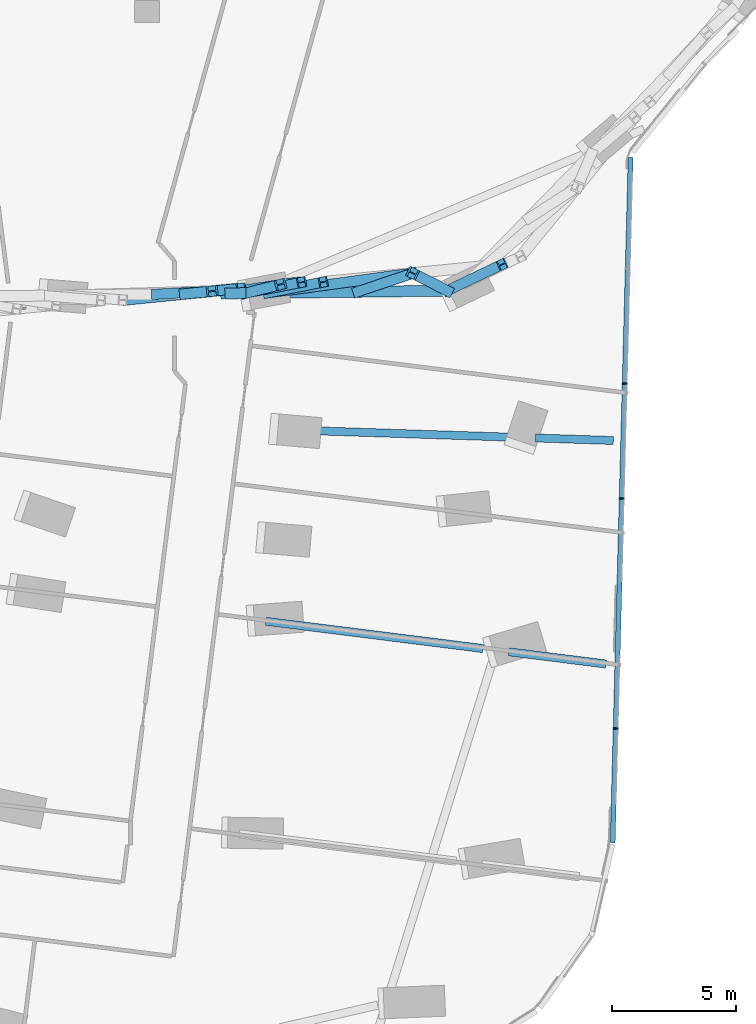
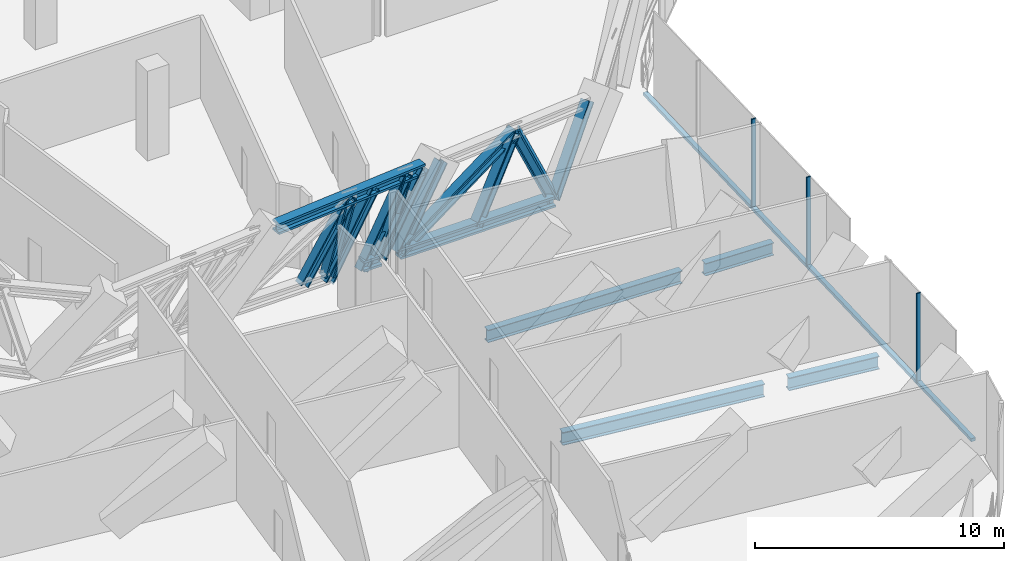
# One storey, part 4 of 27: 18 members, 4 beams, 1 element without a shape of its own.
"""IFC4 building model written with IfcOpenShell, lengths in metres."""

import ifcopenshell
import ifcopenshell.guid

model = None  # the IFC model being written
_history = None  # IfcOwnerHistory: only IFC2X3 demands one
_inside = {}  # id of a spatial element -> (the spatial element, [elements in it])
_under = {}  # id of a project, library or spatial element -> (it, [spatial elements below it])
_declared = {}  # id of a project -> (the project, [libraries it declares])
_typed = {}  # id of a type object -> (the type object, [elements of that type])
_made_of = {}  # id of a material, layer set ... -> (it, [elements and type objects made of it])


def new_model(schema):
    """Start an empty IFC model of exactly this schema.

    Asked for "IFC4X3", IfcOpenShell would pick the latest addendum, in which some entities
    have other attributes; the version numbers below select the first issue.
    IFC2X3 requires an IfcOwnerHistory on every rooted entity: one is made here for all.
    """
    global model, _history
    if schema == "IFC4X3":
        model = ifcopenshell.file(schema_version=(4, 3, 0, 0))
    else:
        model = ifcopenshell.file(schema=schema)
    _inside.clear()
    _under.clear()
    _declared.clear()
    _typed.clear()
    _made_of.clear()
    _history = None
    if model.schema == "IFC2X3":
        org = make("IfcOrganization", Name="unknown")
        user = make(
            "IfcPersonAndOrganization",
            ThePerson=make("IfcPerson", FamilyName="unknown"),
            TheOrganization=org,
        )
        app = make(
            "IfcApplication",
            ApplicationDeveloper=org,
            Version="unknown",
            ApplicationFullName="unknown",
            ApplicationIdentifier="unknown",
        )
        _history = make(
            "IfcOwnerHistory",
            OwningUser=user,
            OwningApplication=app,
            ChangeAction="ADDED",
            CreationDate=0,
        )
    return model


def make(cls, **values):
    """One entity of the class cls with the attributes given. An attribute that is None is left unset."""
    return model.create_entity(
        cls, **{name: value for name, value in values.items() if value is not None}
    )


def rooted(cls, **values):
    """An entity with a GlobalId (a new one), such as an element, a storey or a relation."""
    return make(cls, GlobalId=ifcopenshell.guid.new(), OwnerHistory=_history, **values)


def si_unit(unit_type, name, prefix=None):
    """IfcSIUnit, for example si_unit("LENGTHUNIT", "METRE", prefix="MILLI")."""
    return make("IfcSIUnit", UnitType=unit_type, Prefix=prefix, Name=name)


def assignment(units):
    """IfcUnitAssignment: the units of a project."""
    return None if units is None else make("IfcUnitAssignment", Units=units)


def point(xyz):
    """IfcCartesianPoint."""
    return None if xyz is None else make("IfcCartesianPoint", Coordinates=xyz)


def direction(xyz):
    """IfcDirection."""
    return None if xyz is None else make("IfcDirection", DirectionRatios=xyz)


def frame(location, z_axis=None, x_axis=None):
    """IfcAxis2Placement3D, a coordinate frame: its origin and axes. An axis left out is left unset."""
    return make(
        "IfcAxis2Placement3D",
        Location=point(location),
        Axis=direction(z_axis),
        RefDirection=direction(x_axis),
    )


def frame_2d(location, x_axis=None):
    """IfcAxis2Placement2D, a coordinate frame in the plane: its origin and x axis."""
    return make(
        "IfcAxis2Placement2D", Location=point(location), RefDirection=direction(x_axis)
    )


def origin():
    """The frame at (0, 0, 0) with its axes left unset."""
    return frame((0.0, 0.0, 0.0))


def origin_2d():
    """The frame at (0, 0) in the plane with its x axis left unset."""
    return frame_2d((0.0, 0.0))


def place(relative_to, where):
    """IfcLocalPlacement: puts the frame where relative to a parent placement (None: the world)."""
    return make(
        "IfcLocalPlacement", PlacementRelTo=relative_to, RelativePlacement=where
    )


def context(
    kind, dimensions, precision=None, world=None, true_north=None, identifier=None
):
    """IfcGeometricRepresentationContext, for example the 3D "Model" context."""
    return make(
        "IfcGeometricRepresentationContext",
        ContextIdentifier=identifier,
        ContextType=kind,
        CoordinateSpaceDimension=dimensions,
        Precision=precision,
        WorldCoordinateSystem=world,
        TrueNorth=true_north,
    )


def subcontext(parent, identifier, kind, view, scale=None):
    """IfcGeometricRepresentationSubContext, for example "Body" below "Model"."""
    return make(
        "IfcGeometricRepresentationSubContext",
        ContextIdentifier=identifier,
        ContextType=kind,
        ParentContext=parent,
        TargetScale=scale,
        TargetView=view,
    )


def project(units=None, contexts=None):
    """IfcProject with its units and contexts."""
    return rooted(
        "IfcProject",
        Name="project",
        RepresentationContexts=contexts,
        UnitsInContext=assignment(units),
    )


def spatial(cls, under=None, at=None, **own):
    """A site, building, storey or space (cls), placed at a placement, below another one or the project."""
    s = rooted(cls, ObjectPlacement=at, **own)
    if under is not None:
        _under.setdefault(under.id(), (under, []))[1].append(s)
    return s


def profile(cls, at=None, kind="AREA", **sizes):
    """A parametric profile (cls). Its sizes go by their IFC names, for example OverallWidth=200.0."""
    return make(cls, ProfileType=kind, Position=at, **sizes)


def rectangle(**sizes):
    """IfcRectangleProfileDef."""
    return profile("IfcRectangleProfileDef", **sizes)


def i_section(**sizes):
    """IfcIShapeProfileDef."""
    return profile("IfcIShapeProfileDef", **sizes)


def extrude(swept, where, along, depth):
    """IfcExtrudedAreaSolid: the profile swept, set in the frame where, extruded along a direction by depth."""
    return make(
        "IfcExtrudedAreaSolid",
        SweptArea=swept,
        Position=where,
        ExtrudedDirection=direction(along),
        Depth=depth,
    )


def shape(context_of_items, identifier, shape_type, items):
    """IfcShapeRepresentation: the items that make up one representation, for example the "Body"."""
    return make(
        "IfcShapeRepresentation",
        ContextOfItems=context_of_items,
        RepresentationIdentifier=identifier,
        RepresentationType=shape_type,
        Items=items,
    )


def material(Name=None, Category=None):
    """IfcMaterial."""
    return make("IfcMaterial", Name=Name, Category=Category)


def material_profile(
    of_material, cross_section, Name=None, Category=None, Priority=None
):
    """IfcMaterialProfile: a cross section and its material."""
    return make(
        "IfcMaterialProfile",
        Name=Name,
        Material=of_material,
        Profile=cross_section,
        Priority=Priority,
        Category=Category,
    )


def profile_set(profiles, Name=None, composite=None):
    """IfcMaterialProfileSet."""
    return make(
        "IfcMaterialProfileSet",
        Name=Name,
        MaterialProfiles=profiles,
        CompositeProfile=composite,
    )


def made_of(thing, what):
    """Note that an element or type object is made of a material, layer set ...; save() writes the relation."""
    if what is not None:
        _made_of.setdefault(what.id(), (what, []))[1].append(thing)
    return thing


def type_object(cls, material=None, **own):
    """A type object (cls), such as IfcWallType, which elements share."""
    return made_of(rooted(cls, **own), material)


def element(
    cls,
    number,
    at=None,
    inside=None,
    cuts=None,
    type_object=None,
    material=None,
    context=None,
    identifier="Body",
    shape_type=None,
    held_by="IfcProductDefinitionShape",
    body=None,
    shapes=None,
    **own,
):
    """One element of the class cls, such as IfcWall. Its Tag is "e" and its number.

    at: its placement. inside: the storey or other place that contains it. cuts: it is an
    opening in that element (IfcRelVoidsElement). A single representation is given by context,
    identifier, shape_type and body (its items); several are given by shapes. held_by: the class
    of the entity that holds the representations. save() writes the other relations.
    """
    e = rooted(cls, Tag="e%d" % number, ObjectPlacement=at, **own)
    if body is not None:
        shapes = [shape(context, identifier, shape_type, body)]
    if shapes is not None:
        e.Representation = make(held_by, Representations=shapes)
    if inside is not None:
        _inside.setdefault(inside.id(), (inside, []))[1].append(e)
    if cuts is not None:
        rooted(
            "IfcRelVoidsElement", RelatingBuildingElement=cuts, RelatedOpeningElement=e
        )
    if type_object is not None:
        _typed.setdefault(type_object.id(), (type_object, []))[1].append(e)
    return made_of(e, material)


def aggregate(whole, parts):
    """IfcRelAggregates: a whole, such as a stair, and the parts it consists of."""
    return rooted("IfcRelAggregates", RelatingObject=whole, RelatedObjects=parts)


def save(model, path):
    """Write the relations noted so far, then the file.

    IfcRelAggregates (storeys below a building ...), IfcRelContainedInSpatialStructure (elements
    in a storey), IfcRelDefinesByType, IfcRelAssociatesMaterial and IfcRelDeclares: one each for
    every whole, place, type object, material and project.
    """
    for whole, parts in _under.values():
        aggregate(whole, parts)
    for where, things in _inside.values():
        rooted(
            "IfcRelContainedInSpatialStructure",
            RelatedElements=things,
            RelatingStructure=where,
        )
    for kind, things in _typed.values():
        rooted("IfcRelDefinesByType", RelatedObjects=things, RelatingType=kind)
    for what, things in _made_of.values():
        rooted("IfcRelAssociatesMaterial", RelatedObjects=things, RelatingMaterial=what)
    for by, libraries in _declared.values():
        rooted("IfcRelDeclares", RelatingContext=by, RelatedDefinitions=libraries)
    model.write(path)


model = new_model("IFC4")

# Units and contexts
model_context = context("Model", 3, precision=1e-05, world=origin(), true_north=direction((0.0, 1.0)))
body_context = subcontext(model_context, "Body", "Model", "MODEL_VIEW")
ifc_project = project(units=[si_unit("LENGTHUNIT", "METRE"), si_unit("AREAUNIT", "SQUARE_METRE"), si_unit("VOLUMEUNIT", "CUBIC_METRE"), si_unit("PLANEANGLEUNIT", "RADIAN"), si_unit("MASSUNIT", "GRAM", prefix="KILO")], contexts=[model_context])

# Site, building, storey
site_placement = place(None, origin())
site = spatial("IfcSite", under=ifc_project, at=site_placement, CompositionType="ELEMENT")
building_placement = place(site_placement, origin())
building = spatial("IfcBuilding", under=site, at=building_placement, Name="Orlundy Tower", CompositionType="ELEMENT")
storey_placement = place(building_placement, frame((0.0, 0.0, 206.10009765625)))
storey = spatial("IfcBuildingStorey", under=building, at=storey_placement, Name="L54", CompositionType="ELEMENT", Elevation=206.10009765625)

# Members
ifc_material_1 = material(Name="Steel ASTM A992 Gr 50", Category="steel")
ifc_material_profile_1 = material_profile(ifc_material_1, i_section(OverallWidth=0.4423828125, OverallDepth=0.531494140625, WebThickness=0.06591796875, FlangeThickness=0.105712890625, at=origin_2d()), Name="W14X605")
ifc_profile_set_1 = profile_set([ifc_material_profile_1], Name="Steel ASTM A992 Gr 50")
member_type_1 = type_object("IfcMemberType", Name="BELT TRUSS chord W14X605", PredefinedType="CHORD", material=ifc_profile_set_1)
member_1_placement = place(storey_placement, frame((3.130126953125, -29.35546875, 0.28466796875), z_axis=(0.999923537636, 0.012366037423, 0.0), x_axis=(-0.012366037423, 0.999923537636, 0.0)))
element("IfcMember", 1, at=member_1_placement, inside=storey, type_object=member_type_1, Name="Belt truss bottom chord BT-062", PredefinedType="CHORD", context=body_context, shape_type="SweptSolid", body=[
    extrude(i_section(OverallWidth=0.4423828125, OverallDepth=0.531494140625, WebThickness=0.06591796875, FlangeThickness=0.105712890625, at=origin_2d()), origin(), (0.0, 0.0, 1.0), 0.848876953125),
])
member_2_placement = place(storey_placement, frame((-0.981689453125, -29.620361328125, 3.715087890625), z_axis=(0.995145419269, 0.098415418039, 0.0), x_axis=(-0.098415418039, 0.995145419269, 0.0)))
element("IfcMember", 2, at=member_2_placement, inside=storey, type_object=member_type_1, Name="Belt truss top chord BT-06", PredefinedType="CHORD", context=body_context, shape_type="SweptSolid", body=[
    extrude(i_section(OverallWidth=0.4423828125, OverallDepth=0.531494140625, WebThickness=0.06591796875, FlangeThickness=0.105712890625, at=origin_2d()), origin(), (0.0, 0.0, 1.0), 7.2412109375),
])
member_3_placement = place(storey_placement, frame((4.853759765625, -29.33447265625, 0.28466796875), z_axis=(0.999925527431, 0.012204080948, 0.0), x_axis=(-0.012204080948, 0.999925527431, 0.0)))
element("IfcMember", 3, at=member_3_placement, inside=storey, type_object=member_type_1, Name="Belt truss bottom chord BT-07", PredefinedType="CHORD", context=body_context, shape_type="SweptSolid", body=[
    extrude(i_section(OverallWidth=0.4423828125, OverallDepth=0.531494140625, WebThickness=0.06591796875, FlangeThickness=0.105712890625, at=origin_2d()), origin(), (0.0, 0.0, 1.0), 7.24169921875),
])
ifc_material_2 = material(Name="Steel ASTM A992 Gr 50", Category="steel")
ifc_material_profile_2 = material_profile(ifc_material_2, i_section(OverallWidth=0.42431640625, OverallDepth=0.47412109375, WebThickness=0.0478515625, FlangeThickness=0.0771484375, at=origin_2d()), Name="W14X426")
ifc_profile_set_2 = profile_set([ifc_material_profile_2], Name="Steel ASTM A992 Gr 50")
member_type_2 = type_object("IfcMemberType", Name="BELT TRUSS diagonal W14X426", PredefinedType="BRACE", material=ifc_profile_set_2)
member_4_placement = place(storey_placement, frame((2.621337890625, -29.263916015625, 3.715087890625), z_axis=(-0.302950901639, -0.03077639502, -0.952509089041), x_axis=(0.101068533783, -0.994879465804, 0.0)))
element("IfcMember", 4, at=member_4_placement, inside=storey, type_object=member_type_2, Name="Belt truss diagonal BT-06-1", PredefinedType="BRACE", context=body_context, shape_type="SweptSolid", body=[
    extrude(i_section(OverallWidth=0.42431640625, OverallDepth=0.47412109375, WebThickness=0.0478515625, FlangeThickness=0.0771484375, at=origin_2d()), origin(), (0.0, 0.0, 1.0), 3.6015625),
])
member_5_placement = place(storey_placement, frame((5.379638671875, -28.9912109375, 3.715087890625), z_axis=(-0.376293110807, -0.095040738637, -0.921613125318), x_axis=(0.244881033797, -0.969553133813, 0.0)))
element("IfcMember", 5, at=member_5_placement, inside=storey, type_object=member_type_2, Name="Belt truss diagonal BT-06-3", PredefinedType="BRACE", context=body_context, shape_type="SweptSolid", body=[
    extrude(i_section(OverallWidth=0.42431640625, OverallDepth=0.47412109375, WebThickness=0.0478515625, FlangeThickness=0.0771484375, at=origin_2d()), origin(), (0.0, 0.0, 1.0), 3.72216796875),
])
member_6_placement = place(storey_placement, frame((4.853759765625, -29.33447265625, 0.28466796875), z_axis=(0.856718195444, 0.116334291609, 0.502494045925), x_axis=(-0.134555739832, 0.99090602626, 0.0)))
element("IfcMember", 6, at=member_6_placement, inside=storey, type_object=member_type_2, Name="Belt truss diagonal BT-07-0", PredefinedType="BRACE", context=body_context, shape_type="SweptSolid", body=[
    extrude(i_section(OverallWidth=0.42431640625, OverallDepth=0.47412109375, WebThickness=0.0478515625, FlangeThickness=0.0771484375, at=origin_2d()), origin(), (0.0, 0.0, 1.0), 6.826904296875),
])
member_7_placement = place(storey_placement, frame((10.702392578125, -28.540283203125, 3.715087890625), z_axis=(0.369483915976, -0.187268233009, -0.910171546875), x_axis=(0.452085904325, 0.891974402722, 0.0)))
element("IfcMember", 7, at=member_7_placement, inside=storey, type_object=member_type_2, Name="Belt truss diagonal BT-07-1", PredefinedType="BRACE", context=body_context, shape_type="SweptSolid", body=[
    extrude(i_section(OverallWidth=0.42431640625, OverallDepth=0.47412109375, WebThickness=0.0478515625, FlangeThickness=0.0771484375, at=origin_2d()), origin(), (0.0, 0.0, 1.0), 3.76904296875),
])
ifc_material_3 = material(Name="Steel ASTM A992 Gr 50", Category="steel")
ifc_material_profile_3 = material_profile(ifc_material_3, i_section(OverallWidth=0.412109375, OverallDepth=0.434814453125, WebThickness=0.035888671875, FlangeThickness=0.057373046875, at=origin_2d()), Name="W14X311")
ifc_profile_set_3 = profile_set([ifc_material_profile_3], Name="Steel ASTM A992 Gr 50")
member_type_3 = type_object("IfcMemberType", Name="BELT TRUSS post W14X311", PredefinedType="POST", material=ifc_profile_set_3)
member_8_placement = place(storey_placement, frame((0.35888671875, -29.38916015625, 0.28466796875), z_axis=(0.550311021038, 0.030463963936, 0.834403815323), x_axis=(-0.05527309416, 0.998471274029, 0.0)))
element("IfcMember", 8, at=member_8_placement, inside=storey, type_object=member_type_3, Name="Belt truss post BT-06-1", PredefinedType="POST", context=body_context, shape_type="SweptSolid", body=[
    extrude(i_section(OverallWidth=0.412109375, OverallDepth=0.434814453125, WebThickness=0.035888671875, FlangeThickness=0.057373046875, at=origin_2d()), origin(), (0.0, 0.0, 1.0), 4.111328125),
])
member_9_placement = place(storey_placement, frame((1.5302734375, -29.374755859375, 0.018798828125), z_axis=(0.520444973223, 0.052128939449, 0.852302530513), x_axis=(-0.099663561355, 0.995021193009, 0.0)))
element("IfcMember", 9, at=member_9_placement, inside=storey, type_object=member_type_3, Name="Belt truss post BT-06-2", PredefinedType="POST", context=body_context, shape_type="SweptSolid", body=[
    extrude(i_section(OverallWidth=0.412109375, OverallDepth=0.434814453125, WebThickness=0.035888671875, FlangeThickness=0.057373046875, at=origin_2d()), origin(), (0.0, 0.0, 1.0), 4.3369140625),
])
member_10_placement = place(storey_placement, frame((3.130126953125, -29.35546875, 0.018798828125), z_axis=(0.51804654035, 0.083885982006, 0.851229066735), x_axis=(-0.159845446431, 0.98714205323, 0.0)))
element("IfcMember", 10, at=member_10_placement, inside=storey, type_object=member_type_3, Name="Belt truss post BT-06-3", PredefinedType="POST", context=body_context, shape_type="SweptSolid", body=[
    extrude(i_section(OverallWidth=0.412109375, OverallDepth=0.434814453125, WebThickness=0.035888671875, FlangeThickness=0.057373046875, at=origin_2d()), origin(), (0.0, 0.0, 1.0), 4.34228515625),
])
for number, where, z_axis, x_axis, name in (
    (11, (3.97900390625, -29.344970703125, 0.28466796875), (0.544570166493, 0.106048186168, 0.831983843579), (-0.191146743038, 0.981561471649, 0.0), "Belt truss post BT-06-4"),
    (12, (4.853759765625, -29.33447265625, 0.28466796875), (0.544608396086, 0.106103310044, 0.831951790977), (-0.191229534571, 0.981545345416, 0.0), "Belt truss post BT-07-0"),
):
    element("IfcMember", number, at=place(storey_placement, frame(where, z_axis=z_axis, x_axis=x_axis)), inside=storey, type_object=member_type_3, Name=name, PredefinedType="POST", context=body_context, shape_type="SweptSolid", body=[
        extrude(i_section(OverallWidth=0.412109375, OverallDepth=0.434814453125, WebThickness=0.035888671875, FlangeThickness=0.057373046875, at=origin_2d()), origin(), (0.0, 0.0, 1.0), 4.123291015625),
    ])
member_11_placement = place(storey_placement, frame((8.474365234375, -29.290283203125, 0.28466796875), z_axis=(0.535757098473, 0.180346899683, 0.824887463362), x_axis=(-0.319030362546, 0.947744494985, 0.0)))
element("IfcMember", 13, at=member_11_placement, inside=storey, type_object=member_type_3, Name="Belt truss post BT-07-1", PredefinedType="POST", context=body_context, shape_type="SweptSolid", body=[
    extrude(i_section(OverallWidth=0.412109375, OverallDepth=0.434814453125, WebThickness=0.035888671875, FlangeThickness=0.057373046875, at=origin_2d()), origin(), (0.0, 0.0, 1.0), 4.15869140625),
])
member_12_placement = place(storey_placement, frame((12.094970703125, -29.24609375, 0.28466796875), z_axis=(0.52417278187, 0.252012825213, 0.813469379064), x_axis=(-0.433303764049, 0.901247939283, 0.0)))
element("IfcMember", 14, at=member_12_placement, inside=storey, type_object=member_type_3, Name="Belt truss post BT-07-2", PredefinedType="POST", context=body_context, shape_type="SweptSolid", body=[
    extrude(i_section(OverallWidth=0.412109375, OverallDepth=0.434814453125, WebThickness=0.035888671875, FlangeThickness=0.057373046875, at=origin_2d()), origin(), (0.0, 0.0, 1.0), 4.217041015625),
])

# Beams
ifc_material_4 = material(Name="Steel ASTM A992 Gr 50", Category="steel")
ifc_material_profile_4 = material_profile(ifc_material_4, i_section(OverallWidth=0.32373046875, OverallDepth=0.611083984375, WebThickness=0.0126953125, FlangeThickness=0.01904296875, at=origin_2d()), Name="W24X104")
ifc_profile_set_4 = profile_set([ifc_material_profile_4], Name="Steel ASTM A992 Gr 50")
beam_type_1 = type_object("IfcBeamType", Name="CANTILEVER GIRDER beam W24X104", PredefinedType="BEAM", material=ifc_profile_set_4)
beam_1_placement = place(storey_placement, frame((18.78271484375, -35.281005859375, -0.755615234375), z_axis=(-0.999469532246, 0.032567685101, 0.0), x_axis=(-0.032567685101, -0.999469532246, 0.0)))
element("IfcBeam", 15, at=beam_1_placement, inside=storey, type_object=beam_type_1, Name="Cantilever girder C-B5-1 L54", PredefinedType="BEAM", context=body_context, shape_type="SweptSolid", body=[
    extrude(i_section(OverallWidth=0.32373046875, OverallDepth=0.611083984375, WebThickness=0.0126953125, FlangeThickness=0.01904296875, at=origin_2d()), origin(), (0.0, 0.0, 1.0), 3.133544921875),
])
beam_2_placement = place(storey_placement, frame((14.611083984375, -35.14501953125, -0.755615234375), z_axis=(-0.999470446458, 0.032539616741, 0.0), x_axis=(-0.032539616741, -0.999470446458, 0.0)))
element("IfcBeam", 16, at=beam_2_placement, inside=storey, type_object=beam_type_1, Name="Back-span girder C-B5-1 L54", PredefinedType="BEAM", context=body_context, shape_type="SweptSolid", body=[
    extrude(i_section(OverallWidth=0.32373046875, OverallDepth=0.611083984375, WebThickness=0.0126953125, FlangeThickness=0.01904296875, at=origin_2d()), origin(), (0.0, 0.0, 1.0), 8.86083984375),
])
ifc_material_5 = material(Name="Steel ASTM A992 Gr 50", Category="steel")
ifc_material_profile_5 = material_profile(ifc_material_5, i_section(OverallWidth=0.3291015625, OverallDepth=0.635009765625, WebThickness=0.017822265625, FlangeThickness=0.031005859375, at=origin_2d()), Name="W24X162")
ifc_profile_set_5 = profile_set([ifc_material_profile_5], Name="Steel ASTM A992 Gr 50")
beam_type_2 = type_object("IfcBeamType", Name="CANTILEVER GIRDER beam W24X162", PredefinedType="BEAM", material=ifc_profile_set_5)
beam_3_placement = place(storey_placement, frame((18.493408203125, -44.2861328125, -0.767578125), z_axis=(-0.99219110516, 0.124726945133, 0.0), x_axis=(-0.124726945133, -0.99219110516, 0.0)))
element("IfcBeam", 17, at=beam_3_placement, inside=storey, type_object=beam_type_2, Name="Cantilever girder C-B5-2 L54", PredefinedType="BEAM", context=body_context, shape_type="SweptSolid", body=[
    extrude(i_section(OverallWidth=0.3291015625, OverallDepth=0.635009765625, WebThickness=0.017822265625, FlangeThickness=0.031005859375, at=origin_2d()), origin(), (0.0, 0.0, 1.0), 3.949951171875),
])
beam_4_placement = place(storey_placement, frame((13.53369140625, -43.66259765625, -0.767578125), z_axis=(-0.992189857422, 0.124736870369, 0.0), x_axis=(-0.124736870369, -0.992189857422, 0.0)))
element("IfcBeam", 18, at=beam_4_placement, inside=storey, type_object=beam_type_2, Name="Back-span girder C-B5-2 L54", PredefinedType="BEAM", context=body_context, shape_type="SweptSolid", body=[
    extrude(i_section(OverallWidth=0.3291015625, OverallDepth=0.635009765625, WebThickness=0.017822265625, FlangeThickness=0.031005859375, at=origin_2d()), origin(), (0.0, 0.0, 1.0), 8.8154296875),
])

# Curtain wall, members
ifc_material_6 = material(Name="Aluminium bronze anodised", Category="aluminium")
curtain_wall_type = type_object("IfcCurtainWallType", Name="CW4 wall", PredefinedType="NOTDEFINED", material=ifc_material_6)
curtain_wall_placement = place(storey_placement, origin())
curtain_wall = element("IfcCurtainWall", 19, at=curtain_wall_placement, inside=storey, type_object=curtain_wall_type, Name="CW4 run 032", PredefinedType="NOTDEFINED")
ifc_material_7 = material(Name="Aluminium bronze anodised", Category="aluminium")
ifc_material_profile_6 = material_profile(ifc_material_7, rectangle(XDim=0.199951171875, YDim=0.06005859375, at=origin_2d()), Name="CW4 mullion 60x200")
ifc_profile_set_6 = profile_set([ifc_material_profile_6], Name="Aluminium bronze anodised")
member_type_4 = type_object("IfcMemberType", Name="CW4 mullion 60x200", PredefinedType="MULLION", material=ifc_profile_set_6)
member_13_placement = place(storey_placement, frame((19.24267578125, -32.991943359375, -0.4501953125), z_axis=(0.0, 0.0, 1.0), x_axis=(0.999657620616, -0.026165655813, 0.0)))
member_13 = element("IfcMember", 20, at=member_13_placement, type_object=member_type_4, Name="CW4 mullion 47", PredefinedType="MULLION", context=body_context, shape_type="SweptSolid", body=[
    extrude(rectangle(XDim=0.199951171875, YDim=0.06005859375, at=origin_2d()), origin(), (0.0, 0.0, 1.0), 4.4501953125),
])
member_14_placement = place(storey_placement, frame((19.12158203125, -37.62109375, -0.4501953125), z_axis=(0.0, 0.0, 1.0), x_axis=(0.999657620616, -0.026165655813, 0.0)))
member_14 = element("IfcMember", 21, at=member_14_placement, type_object=member_type_4, Name="CW4 mullion 48", PredefinedType="MULLION", context=body_context, shape_type="SweptSolid", body=[
    extrude(rectangle(XDim=0.199951171875, YDim=0.06005859375, at=origin_2d()), origin(), (0.0, 0.0, 1.0), 4.4501953125),
])
member_15_placement = place(storey_placement, frame((18.879150390625, -46.87939453125, -0.4501953125), z_axis=(0.0, 0.0, 1.0), x_axis=(0.999657620616, -0.026165655813, 0.0)))
member_15 = element("IfcMember", 22, at=member_15_placement, type_object=member_type_4, Name="CW4 mullion 50", PredefinedType="MULLION", context=body_context, shape_type="SweptSolid", body=[
    extrude(rectangle(XDim=0.199951171875, YDim=0.06005859375, at=origin_2d()), origin(), (0.0, 0.0, 1.0), 4.4501953125),
])
ifc_material_8 = material(Name="Aluminium bronze anodised", Category="aluminium")
ifc_material_profile_7 = material_profile(ifc_material_8, rectangle(XDim=0.199951171875, YDim=0.14990234375, at=origin_2d()), Name="CW4 transom 200x150")
ifc_profile_set_7 = profile_set([ifc_material_profile_7], Name="Aluminium bronze anodised")
member_type_5 = type_object("IfcMemberType", Name="CW4 transom 200x150", PredefinedType="USERDEFINED", material=ifc_profile_set_7)
member_16_placement = place(storey_placement, frame((19.4814453125, -23.867431640625, -0.375), z_axis=(-0.026163312823, -0.99965768194, 0.0), x_axis=(0.99965768194, -0.026163312823, 0.0)))
member_16 = element("IfcMember", 23, at=member_16_placement, type_object=member_type_5, Name="CW4 transom", ObjectType="TRANSOM", PredefinedType="USERDEFINED", context=body_context, shape_type="SweptSolid", body=[
    extrude(rectangle(XDim=0.199951171875, YDim=0.14990234375, at=origin_2d()), origin(), (0.0, 0.0, 1.0), 27.63037109375),
])
aggregate(curtain_wall, [member_13, member_14, member_15, member_16])

save(model, "model.ifc")
